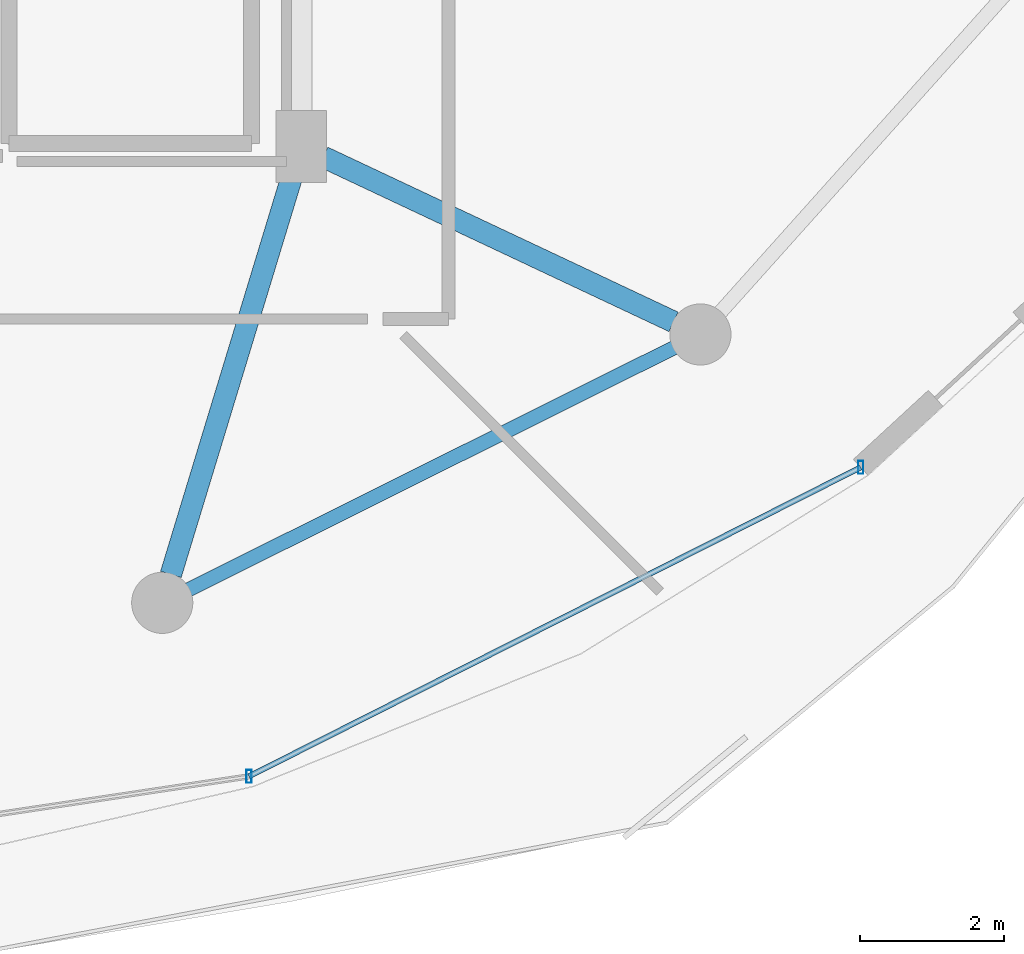
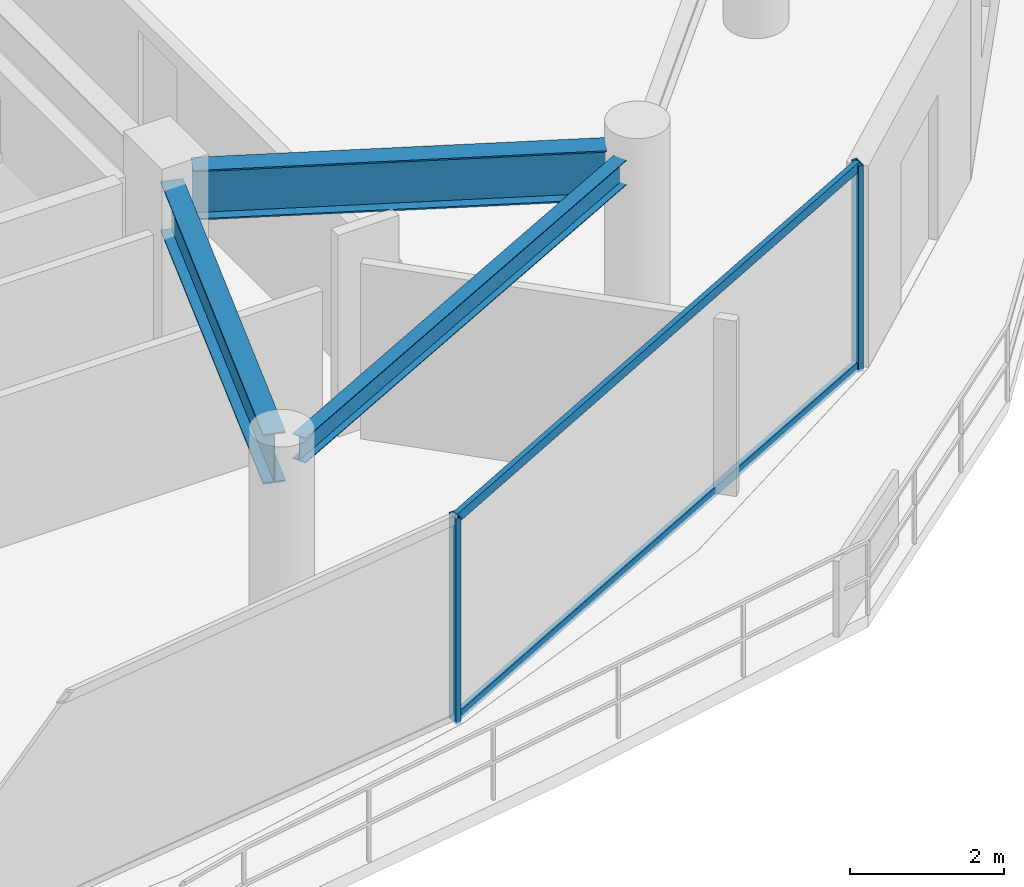
# One storey, part 8 of 25: 4 members, 3 beams, 1 element without a shape of its own.
"""IFC4 building model written with IfcOpenShell, lengths in metres."""

from ifc_helpers import new_model, si_unit, direction, frame, origin, origin_2d, place, context, subcontext, project, spatial, hollow_rectangle, i_section, extrude, material, material_profile, profile_set, type_object, element, aggregate, save


model = new_model("IFC4")

# Units and contexts
model_context = context("Model", 3, precision=1e-05, world=origin(), true_north=direction((0.0, 1.0)))
body_context = subcontext(model_context, "Body", "Model", "MODEL_VIEW")
ifc_project = project(units=[si_unit("LENGTHUNIT", "METRE"), si_unit("AREAUNIT", "SQUARE_METRE"), si_unit("VOLUMEUNIT", "CUBIC_METRE"), si_unit("PLANEANGLEUNIT", "RADIAN"), si_unit("MASSUNIT", "GRAM", prefix="KILO")], contexts=[model_context])

# Site, building, storey
site_placement = place(None, origin())
site = spatial("IfcSite", under=ifc_project, at=site_placement, CompositionType="ELEMENT")
building_placement = place(site_placement, origin())
building = spatial("IfcBuilding", under=site, at=building_placement, Name="Vorneva Point Tower", CompositionType="ELEMENT")
storey_placement = place(building_placement, frame((0.0, 0.0, 276.85009765625)))
storey = spatial("IfcBuildingStorey", under=building, at=storey_placement, Name="L75", CompositionType="ELEMENT", Elevation=276.85009765625)

# Beams
ifc_material_1 = material(Name="Steel S355", Category="steel")
ifc_material_profile_1 = material_profile(ifc_material_1, i_section(OverallWidth=0.300048828125, OverallDepth=0.7880859375, WebThickness=0.014404296875, FlangeThickness=0.02197265625, at=origin_2d()), Name="80Sh1")
ifc_profile_set_1 = profile_set([ifc_material_profile_1], Name="Steel S355")
beam_type_1 = type_object("IfcBeamType", Name="BM-GRD-80Sh1", PredefinedType="USERDEFINED", material=ifc_profile_set_1)
beam_1_placement = place(storey_placement, frame((46.941162109375, 10.50439453125, 2.7958984375), z_axis=(0.291032624293, 0.956713129207, 0.0), x_axis=(-0.956713129207, 0.291032624293, 0.0)))
element("IfcBeam", 1, at=beam_1_placement, inside=storey, type_object=beam_type_1, Name="L75 Radial Primary Girder 14", ObjectType="GIRDER", PredefinedType="USERDEFINED", context=body_context, shape_type="SweptSolid", body=[
    extrude(i_section(OverallWidth=0.300048828125, OverallDepth=0.7880859375, WebThickness=0.014404296875, FlangeThickness=0.02197265625, at=origin_2d()), origin(), (0.0, 0.0, 1.0), 5.874755859375),
])
beam_2_placement = place(storey_placement, frame((53.925048828125, 14.013671875, 2.7958984375), z_axis=(-0.904750812805, 0.425941271455, 0.0), x_axis=(-0.425941271455, -0.904750812805, 0.0)))
element("IfcBeam", 2, at=beam_2_placement, inside=storey, type_object=beam_type_1, Name="L75 Radial Primary Girder 15", ObjectType="GIRDER", PredefinedType="USERDEFINED", context=body_context, shape_type="SweptSolid", body=[
    extrude(i_section(OverallWidth=0.300048828125, OverallDepth=0.7880859375, WebThickness=0.014404296875, FlangeThickness=0.02197265625, at=origin_2d()), origin(), (0.0, 0.0, 1.0), 5.3798828125),
])
ifc_material_profile_2 = material_profile(ifc_material_1, i_section(OverallWidth=0.198974609375, OverallDepth=0.39599609375, WebThickness=0.007080078125, FlangeThickness=0.010986328125, at=origin_2d()), Name="40B1")
ifc_profile_set_2 = profile_set([ifc_material_profile_2], Name="Steel S355")
beam_type_2 = type_object("IfcBeamType", Name="BM-SPN-40B1", PredefinedType="SPANDREL", material=ifc_profile_set_2)
beam_3_placement = place(storey_placement, frame((47.187744140625, 10.292236328125, 2.991943359375), z_axis=(0.894932011528, 0.446202526599, 0.0), x_axis=(-0.446202526599, 0.894932011528, 0.0)))
element("IfcBeam", 3, at=beam_3_placement, inside=storey, type_object=beam_type_2, Name="L75 Perimeter Spandrel Ring Beam 14", PredefinedType="SPANDREL", context=body_context, shape_type="SweptSolid", body=[
    extrude(i_section(OverallWidth=0.198974609375, OverallDepth=0.39599609375, WebThickness=0.007080078125, FlangeThickness=0.010986328125, at=origin_2d()), origin(), (0.0, 0.0, 1.0), 7.535888671875),
])

# Curtain wall, members
ifc_material_2 = material(Name="Pale anodised aluminium", Category="aluminium")
curtain_wall_type = type_object("IfcCurtainWallType", Name="CW-RES-SYS", PredefinedType="NOTDEFINED", material=ifc_material_2)
curtain_wall_placement = place(storey_placement, origin())
curtain_wall = element("IfcCurtainWall", 4, at=curtain_wall_placement, inside=storey, type_object=curtain_wall_type, Name="L75 Unitised Curtain Wall CW-L75-R04", PredefinedType="NOTDEFINED")
ifc_material_profile_3 = material_profile(ifc_material_2, hollow_rectangle(XDim=0.074951171875, YDim=0.179931640625, WallThickness=0.00390625, at=origin_2d()), Name="AL-MUL 180x75x4")
ifc_profile_set_3 = profile_set([ifc_material_profile_3], Name="Pale anodised aluminium")
member_type_1 = type_object("IfcMemberType", Name="CW-MUL-180", PredefinedType="MULLION", material=ifc_profile_set_3)
member_1_placement = place(storey_placement, frame((48.0263671875, 7.697998046875, -0.0400390625), z_axis=(0.0, 0.0, 1.0), x_axis=(1.0, 0.0, 0.0)))
member_1 = element("IfcMember", 5, at=member_1_placement, type_object=member_type_1, Name="CW-L75-R04 Mullion 04", PredefinedType="MULLION", context=body_context, shape_type="SweptSolid", body=[
    extrude(hollow_rectangle(XDim=0.074951171875, YDim=0.179931640625, WallThickness=0.00390625, at=origin_2d()), origin(), (0.0, 0.0, 1.0), 3.260009765625),
])
member_2_placement = place(storey_placement, frame((56.526123046875, 11.9921875, -0.0400390625), z_axis=(0.0, 0.0, 1.0), x_axis=(1.0, 0.0, 0.0)))
member_2 = element("IfcMember", 6, at=member_2_placement, type_object=member_type_1, Name="CW-L75-R04 Mullion 05", PredefinedType="MULLION", context=body_context, shape_type="SweptSolid", body=[
    extrude(hollow_rectangle(XDim=0.074951171875, YDim=0.179931640625, WallThickness=0.00390625, at=origin_2d()), origin(), (0.0, 0.0, 1.0), 3.260009765625),
])
ifc_material_profile_4 = material_profile(ifc_material_2, hollow_rectangle(XDim=0.074951171875, YDim=0.14990234375, WallThickness=0.00390625, at=origin_2d()), Name="AL-TRN 150x75x4")
ifc_profile_set_4 = profile_set([ifc_material_profile_4], Name="Pale anodised aluminium")
member_type_2 = type_object("IfcMemberType", Name="CW-TRN-150", PredefinedType="USERDEFINED", material=ifc_profile_set_4)
member_3_placement = place(storey_placement, frame((48.0263671875, 7.697998046875, 0.02001953125), z_axis=(0.892558185815, 0.450932239848, 0.0), x_axis=(-0.450932239848, 0.892558185815, 0.0)))
member_3 = element("IfcMember", 7, at=member_3_placement, type_object=member_type_2, Name="CW-L75-R04 Transom 04.1", ObjectType="TRANSOM", PredefinedType="USERDEFINED", context=body_context, shape_type="SweptSolid", body=[
    extrude(hollow_rectangle(XDim=0.074951171875, YDim=0.14990234375, WallThickness=0.00390625, at=origin_2d()), origin(), (0.0, 0.0, 1.0), 9.52294921875),
])
member_4_placement = place(storey_placement, frame((48.0263671875, 7.697998046875, 3.169921875), z_axis=(0.892558185815, 0.450932239848, 0.0), x_axis=(-0.450932239848, 0.892558185815, 0.0)))
member_4 = element("IfcMember", 8, at=member_4_placement, type_object=member_type_2, Name="CW-L75-R04 Transom 04.2", ObjectType="TRANSOM", PredefinedType="USERDEFINED", context=body_context, shape_type="SweptSolid", body=[
    extrude(hollow_rectangle(XDim=0.074951171875, YDim=0.14990234375, WallThickness=0.00390625, at=origin_2d()), origin(), (0.0, 0.0, 1.0), 9.52294921875),
])
aggregate(curtain_wall, [member_1, member_2, member_3, member_4])

save(model, "model.ifc")
